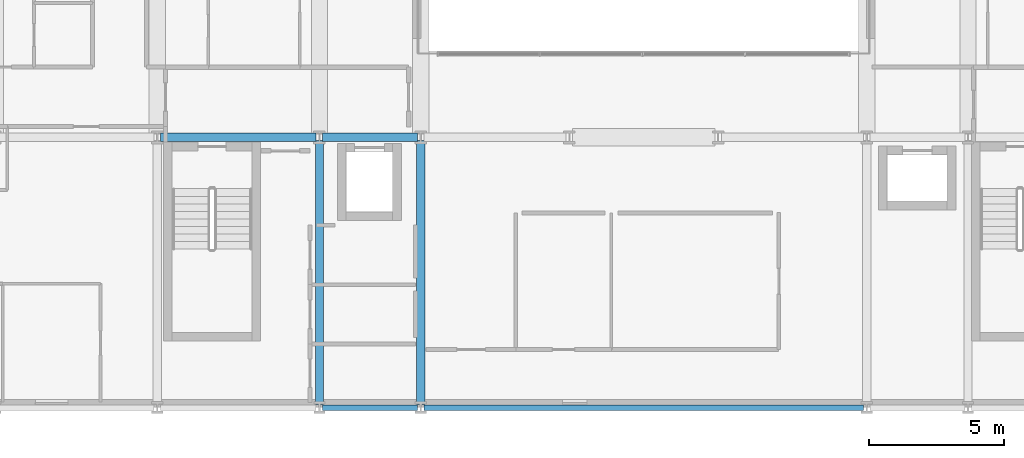
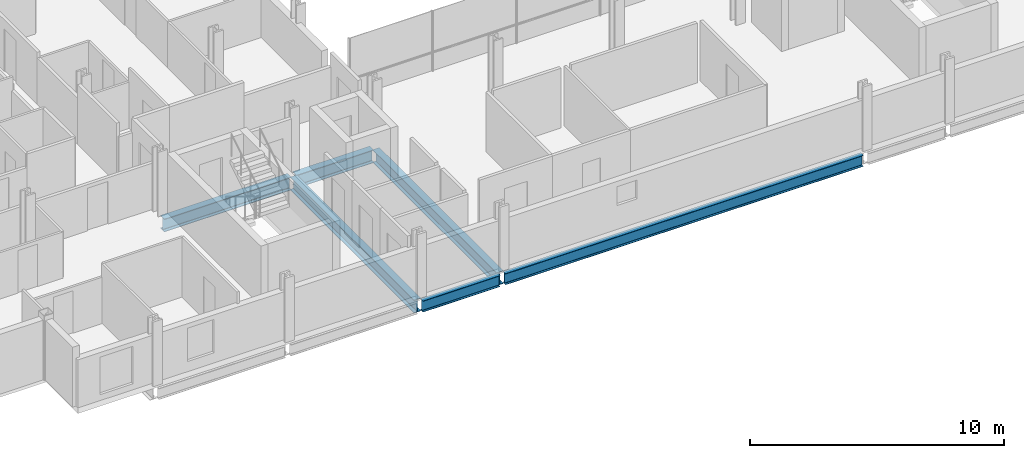
# One storey, part 3 of 38: 6 beams.
"""IFC4 building model written with IfcOpenShell, lengths in metres."""

from ifc_helpers import new_model, si_unit, direction, frame, origin, origin_2d, place, context, subcontext, project, spatial, i_section, extrude, material, material_profile, profile_set, type_object, element, save


model = new_model("IFC4")

# Units and contexts
model_context = context("Model", 3, precision=1e-05, world=origin(), true_north=direction((0.0, 1.0)))
body_context = subcontext(model_context, "Body", "Model", "MODEL_VIEW")
ifc_project = project(units=[si_unit("LENGTHUNIT", "METRE"), si_unit("AREAUNIT", "SQUARE_METRE"), si_unit("VOLUMEUNIT", "CUBIC_METRE"), si_unit("PLANEANGLEUNIT", "RADIAN"), si_unit("MASSUNIT", "GRAM", prefix="KILO")], contexts=[model_context])

# Site, building, storey
site_placement = place(None, origin())
site = spatial("IfcSite", under=ifc_project, at=site_placement, CompositionType="ELEMENT")
building_placement = place(site_placement, origin())
building = spatial("IfcBuilding", under=site, at=building_placement, Name="Brevholm Reach", CompositionType="ELEMENT")
storey_placement = place(building_placement, frame((0.0, 0.0, 28.0)))
storey = spatial("IfcBuildingStorey", under=building, at=storey_placement, Name="L06", CompositionType="ELEMENT", Elevation=28.0)

# Beams
ifc_material_1 = material(Name="Structural Steel S355J2", Category="steel")
ifc_material_profile_1 = material_profile(ifc_material_1, i_section(OverallWidth=0.210693359375, OverallDepth=0.53955078125, WebThickness=0.01171875, FlangeThickness=0.018798828125, FilletRadius=0.0126953125, at=origin_2d()), Name="UKB 533x210x109")
ifc_profile_set_1 = profile_set([ifc_material_profile_1], Name="Structural Steel S355J2")
beam_type_1 = type_object("IfcBeamType", Name="BM-SP539", PredefinedType="SPANDREL", material=ifc_profile_set_1)
beam_1_placement = place(storey_placement, frame((18.1201171875, 0.0, -0.539794921875), z_axis=(1.0, 0.0, 0.0), x_axis=(0.0, 1.0, 0.0)))
element("IfcBeam", 1, at=beam_1_placement, inside=storey, type_object=beam_type_1, Name="L06 SP-01B Framing Beam", PredefinedType="SPANDREL", context=body_context, shape_type="SweptSolid", body=[
    extrude(i_section(OverallWidth=0.210693359375, OverallDepth=0.53955078125, WebThickness=0.01171875, FlangeThickness=0.018798828125, FilletRadius=0.0126953125, at=origin_2d()), origin(), (0.0, 0.0, 1.0), 3.509765625),
])
beam_2_placement = place(storey_placement, frame((21.8701171875, 0.0, -0.539794921875), z_axis=(1.0, 0.0, 0.0), x_axis=(0.0, 1.0, 0.0)))
element("IfcBeam", 2, at=beam_2_placement, inside=storey, type_object=beam_type_1, Name="L06 SP-01B Framing Beam", PredefinedType="SPANDREL", context=body_context, shape_type="SweptSolid", body=[
    extrude(i_section(OverallWidth=0.210693359375, OverallDepth=0.53955078125, WebThickness=0.01171875, FlangeThickness=0.018798828125, FilletRadius=0.0126953125, at=origin_2d()), origin(), (0.0, 0.0, 1.0), 16.259765625),
])
ifc_material_2 = material(Name="Structural Steel S355J2", Category="steel")
ifc_material_profile_2 = material_profile(ifc_material_2, i_section(OverallWidth=0.30712890625, OverallDepth=0.6201171875, WebThickness=0.01416015625, FlangeThickness=0.023681640625, FilletRadius=0.0166015625, at=origin_2d()), Name="UKB 610x305x179")
ifc_profile_set_2 = profile_set([ifc_material_profile_2], Name="Structural Steel S355J2")
beam_type_2 = type_object("IfcBeamType", Name="BM-UKB610H", PredefinedType="USERDEFINED", material=ifc_profile_set_2)
beam_3_placement = place(storey_placement, frame((12.1201171875, 10.0, -0.580078125), z_axis=(1.0, 0.0, 0.0), x_axis=(0.0, 1.0, 0.0)))
element("IfcBeam", 3, at=beam_3_placement, inside=storey, type_object=beam_type_2, Name="L06 G-06 Framing Beam", ObjectType="GIRDER", PredefinedType="USERDEFINED", context=body_context, shape_type="SweptSolid", body=[
    extrude(i_section(OverallWidth=0.30712890625, OverallDepth=0.6201171875, WebThickness=0.01416015625, FlangeThickness=0.023681640625, FilletRadius=0.0166015625, at=origin_2d()), origin(), (0.0, 0.0, 1.0), 5.759765625),
])
beam_4_placement = place(storey_placement, frame((18.1201171875, 10.0, -0.580078125), z_axis=(1.0, 0.0, 0.0), x_axis=(0.0, 1.0, 0.0)))
element("IfcBeam", 4, at=beam_4_placement, inside=storey, type_object=beam_type_2, Name="L06 G-06 Framing Beam", ObjectType="GIRDER", PredefinedType="USERDEFINED", context=body_context, shape_type="SweptSolid", body=[
    extrude(i_section(OverallWidth=0.30712890625, OverallDepth=0.6201171875, WebThickness=0.01416015625, FlangeThickness=0.023681640625, FilletRadius=0.0166015625, at=origin_2d()), origin(), (0.0, 0.0, 1.0), 3.509765625),
])
for number, where, z_axis, x_axis, name in (
    (5, (18.0, 0.1201171875, -0.580078125), (0.0, 1.0, 0.0), (-1.0, 0.0, 0.0), "L06 G-06 Framing Beam"),
    (6, (21.75, 0.1201171875, -0.580078125), (0.0, 1.0, 0.0), (-1.0, 0.0, 0.0), "L06 G-06 Framing Beam"),
):
    element("IfcBeam", number, at=place(storey_placement, frame(where, z_axis=z_axis, x_axis=x_axis)), inside=storey, type_object=beam_type_2, Name=name, ObjectType="GIRDER", PredefinedType="USERDEFINED", context=body_context, shape_type="SweptSolid", body=[
        extrude(i_section(OverallWidth=0.30712890625, OverallDepth=0.6201171875, WebThickness=0.01416015625, FlangeThickness=0.023681640625, FilletRadius=0.0166015625, at=origin_2d()), origin(), (0.0, 0.0, 1.0), 9.759765625),
    ])

save(model, "model.ifc")
